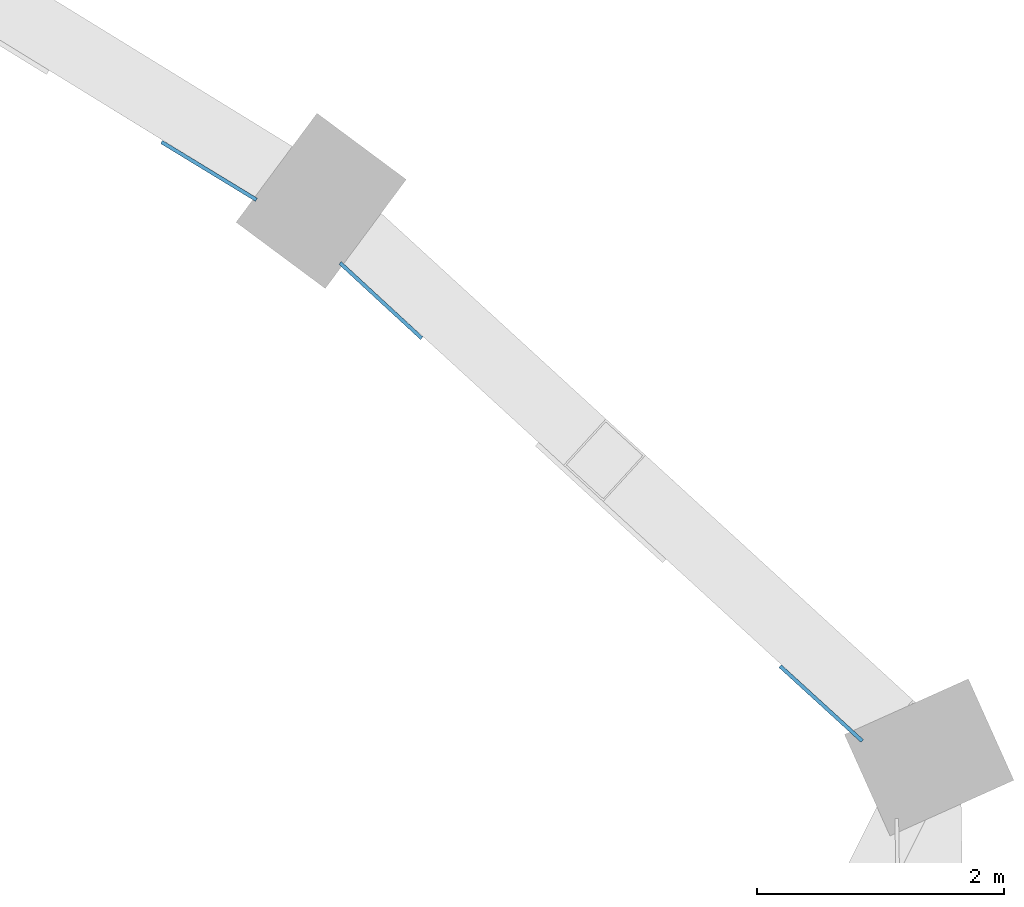
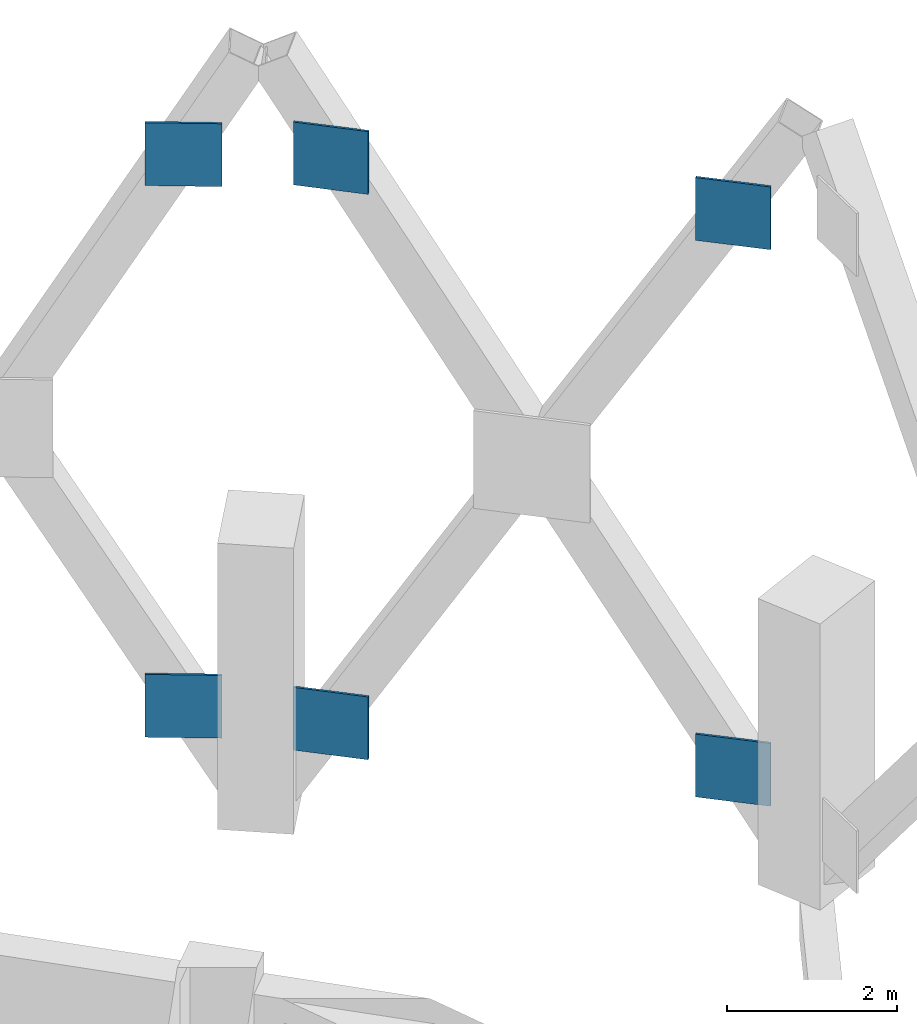
# One storey, part 8 of 15: 6 discrete accessories.
"""IFC4 building model written with IfcOpenShell, lengths in metres."""

import ifcopenshell
import ifcopenshell.guid

model = None  # the IFC model being written
_history = None  # IfcOwnerHistory: only IFC2X3 demands one
_inside = {}  # id of a spatial element -> (the spatial element, [elements in it])
_under = {}  # id of a project, library or spatial element -> (it, [spatial elements below it])
_declared = {}  # id of a project -> (the project, [libraries it declares])
_typed = {}  # id of a type object -> (the type object, [elements of that type])
_made_of = {}  # id of a material, layer set ... -> (it, [elements and type objects made of it])


def new_model(schema):
    """Start an empty IFC model of exactly this schema.

    Asked for "IFC4X3", IfcOpenShell would pick the latest addendum, in which some entities
    have other attributes; the version numbers below select the first issue.
    IFC2X3 requires an IfcOwnerHistory on every rooted entity: one is made here for all.
    """
    global model, _history
    if schema == "IFC4X3":
        model = ifcopenshell.file(schema_version=(4, 3, 0, 0))
    else:
        model = ifcopenshell.file(schema=schema)
    _inside.clear()
    _under.clear()
    _declared.clear()
    _typed.clear()
    _made_of.clear()
    _history = None
    if model.schema == "IFC2X3":
        org = make("IfcOrganization", Name="unknown")
        user = make(
            "IfcPersonAndOrganization",
            ThePerson=make("IfcPerson", FamilyName="unknown"),
            TheOrganization=org,
        )
        app = make(
            "IfcApplication",
            ApplicationDeveloper=org,
            Version="unknown",
            ApplicationFullName="unknown",
            ApplicationIdentifier="unknown",
        )
        _history = make(
            "IfcOwnerHistory",
            OwningUser=user,
            OwningApplication=app,
            ChangeAction="ADDED",
            CreationDate=0,
        )
    return model


def make(cls, **values):
    """One entity of the class cls with the attributes given. An attribute that is None is left unset."""
    return model.create_entity(
        cls, **{name: value for name, value in values.items() if value is not None}
    )


def rooted(cls, **values):
    """An entity with a GlobalId (a new one), such as an element, a storey or a relation."""
    return make(cls, GlobalId=ifcopenshell.guid.new(), OwnerHistory=_history, **values)


def si_unit(unit_type, name, prefix=None):
    """IfcSIUnit, for example si_unit("LENGTHUNIT", "METRE", prefix="MILLI")."""
    return make("IfcSIUnit", UnitType=unit_type, Prefix=prefix, Name=name)


def assignment(units):
    """IfcUnitAssignment: the units of a project."""
    return None if units is None else make("IfcUnitAssignment", Units=units)


def point(xyz):
    """IfcCartesianPoint."""
    return None if xyz is None else make("IfcCartesianPoint", Coordinates=xyz)


def direction(xyz):
    """IfcDirection."""
    return None if xyz is None else make("IfcDirection", DirectionRatios=xyz)


def frame(location, z_axis=None, x_axis=None):
    """IfcAxis2Placement3D, a coordinate frame: its origin and axes. An axis left out is left unset."""
    return make(
        "IfcAxis2Placement3D",
        Location=point(location),
        Axis=direction(z_axis),
        RefDirection=direction(x_axis),
    )


def frame_2d(location, x_axis=None):
    """IfcAxis2Placement2D, a coordinate frame in the plane: its origin and x axis."""
    return make(
        "IfcAxis2Placement2D", Location=point(location), RefDirection=direction(x_axis)
    )


def origin():
    """The frame at (0, 0, 0) with its axes left unset."""
    return frame((0.0, 0.0, 0.0))


def origin_2d():
    """The frame at (0, 0) in the plane with its x axis left unset."""
    return frame_2d((0.0, 0.0))


def place(relative_to, where):
    """IfcLocalPlacement: puts the frame where relative to a parent placement (None: the world)."""
    return make(
        "IfcLocalPlacement", PlacementRelTo=relative_to, RelativePlacement=where
    )


def context(
    kind, dimensions, precision=None, world=None, true_north=None, identifier=None
):
    """IfcGeometricRepresentationContext, for example the 3D "Model" context."""
    return make(
        "IfcGeometricRepresentationContext",
        ContextIdentifier=identifier,
        ContextType=kind,
        CoordinateSpaceDimension=dimensions,
        Precision=precision,
        WorldCoordinateSystem=world,
        TrueNorth=true_north,
    )


def subcontext(parent, identifier, kind, view, scale=None):
    """IfcGeometricRepresentationSubContext, for example "Body" below "Model"."""
    return make(
        "IfcGeometricRepresentationSubContext",
        ContextIdentifier=identifier,
        ContextType=kind,
        ParentContext=parent,
        TargetScale=scale,
        TargetView=view,
    )


def project(units=None, contexts=None):
    """IfcProject with its units and contexts."""
    return rooted(
        "IfcProject",
        Name="project",
        RepresentationContexts=contexts,
        UnitsInContext=assignment(units),
    )


def spatial(cls, under=None, at=None, **own):
    """A site, building, storey or space (cls), placed at a placement, below another one or the project."""
    s = rooted(cls, ObjectPlacement=at, **own)
    if under is not None:
        _under.setdefault(under.id(), (under, []))[1].append(s)
    return s


def profile(cls, at=None, kind="AREA", **sizes):
    """A parametric profile (cls). Its sizes go by their IFC names, for example OverallWidth=200.0."""
    return make(cls, ProfileType=kind, Position=at, **sizes)


def rectangle(**sizes):
    """IfcRectangleProfileDef."""
    return profile("IfcRectangleProfileDef", **sizes)


def extrude(swept, where, along, depth):
    """IfcExtrudedAreaSolid: the profile swept, set in the frame where, extruded along a direction by depth."""
    return make(
        "IfcExtrudedAreaSolid",
        SweptArea=swept,
        Position=where,
        ExtrudedDirection=direction(along),
        Depth=depth,
    )


def shape(context_of_items, identifier, shape_type, items):
    """IfcShapeRepresentation: the items that make up one representation, for example the "Body"."""
    return make(
        "IfcShapeRepresentation",
        ContextOfItems=context_of_items,
        RepresentationIdentifier=identifier,
        RepresentationType=shape_type,
        Items=items,
    )


def material(Name=None, Category=None):
    """IfcMaterial."""
    return make("IfcMaterial", Name=Name, Category=Category)


def material_profile(
    of_material, cross_section, Name=None, Category=None, Priority=None
):
    """IfcMaterialProfile: a cross section and its material."""
    return make(
        "IfcMaterialProfile",
        Name=Name,
        Material=of_material,
        Profile=cross_section,
        Priority=Priority,
        Category=Category,
    )


def profile_set(profiles, Name=None, composite=None):
    """IfcMaterialProfileSet."""
    return make(
        "IfcMaterialProfileSet",
        Name=Name,
        MaterialProfiles=profiles,
        CompositeProfile=composite,
    )


def made_of(thing, what):
    """Note that an element or type object is made of a material, layer set ...; save() writes the relation."""
    if what is not None:
        _made_of.setdefault(what.id(), (what, []))[1].append(thing)
    return thing


def type_object(cls, material=None, **own):
    """A type object (cls), such as IfcWallType, which elements share."""
    return made_of(rooted(cls, **own), material)


def element(
    cls,
    number,
    at=None,
    inside=None,
    cuts=None,
    type_object=None,
    material=None,
    context=None,
    identifier="Body",
    shape_type=None,
    held_by="IfcProductDefinitionShape",
    body=None,
    shapes=None,
    **own,
):
    """One element of the class cls, such as IfcWall. Its Tag is "e" and its number.

    at: its placement. inside: the storey or other place that contains it. cuts: it is an
    opening in that element (IfcRelVoidsElement). A single representation is given by context,
    identifier, shape_type and body (its items); several are given by shapes. held_by: the class
    of the entity that holds the representations. save() writes the other relations.
    """
    e = rooted(cls, Tag="e%d" % number, ObjectPlacement=at, **own)
    if body is not None:
        shapes = [shape(context, identifier, shape_type, body)]
    if shapes is not None:
        e.Representation = make(held_by, Representations=shapes)
    if inside is not None:
        _inside.setdefault(inside.id(), (inside, []))[1].append(e)
    if cuts is not None:
        rooted(
            "IfcRelVoidsElement", RelatingBuildingElement=cuts, RelatedOpeningElement=e
        )
    if type_object is not None:
        _typed.setdefault(type_object.id(), (type_object, []))[1].append(e)
    return made_of(e, material)


def aggregate(whole, parts):
    """IfcRelAggregates: a whole, such as a stair, and the parts it consists of."""
    return rooted("IfcRelAggregates", RelatingObject=whole, RelatedObjects=parts)


def save(model, path):
    """Write the relations noted so far, then the file.

    IfcRelAggregates (storeys below a building ...), IfcRelContainedInSpatialStructure (elements
    in a storey), IfcRelDefinesByType, IfcRelAssociatesMaterial and IfcRelDeclares: one each for
    every whole, place, type object, material and project.
    """
    for whole, parts in _under.values():
        aggregate(whole, parts)
    for where, things in _inside.values():
        rooted(
            "IfcRelContainedInSpatialStructure",
            RelatedElements=things,
            RelatingStructure=where,
        )
    for kind, things in _typed.values():
        rooted("IfcRelDefinesByType", RelatedObjects=things, RelatingType=kind)
    for what, things in _made_of.values():
        rooted("IfcRelAssociatesMaterial", RelatedObjects=things, RelatingMaterial=what)
    for by, libraries in _declared.values():
        rooted("IfcRelDeclares", RelatingContext=by, RelatedDefinitions=libraries)
    model.write(path)


model = new_model("IFC4")

# Units and contexts
model_context = context("Model", 3, precision=1e-05, world=origin(), true_north=direction((0.0, 1.0)))
body_context = subcontext(model_context, "Body", "Model", "MODEL_VIEW")
ifc_project = project(units=[si_unit("LENGTHUNIT", "METRE"), si_unit("AREAUNIT", "SQUARE_METRE"), si_unit("VOLUMEUNIT", "CUBIC_METRE"), si_unit("PLANEANGLEUNIT", "RADIAN"), si_unit("MASSUNIT", "GRAM", prefix="KILO")], contexts=[model_context])

# Site, building, storey
site_placement = place(None, origin())
site = spatial("IfcSite", under=ifc_project, at=site_placement, CompositionType="ELEMENT")
building_placement = place(site_placement, origin())
building = spatial("IfcBuilding", under=site, at=building_placement, Name="Cypress Arch Tower", CompositionType="ELEMENT")
storey_placement = place(building_placement, frame((0.0, 0.0, 205.60009765625)))
storey = spatial("IfcBuildingStorey", under=building, at=storey_placement, Name="L45", CompositionType="ELEMENT", Elevation=205.60009765625)

# Discrete accessories
ifc_material = material(Name="Steel ASTM A992", Category="steel")
ifc_material_profile = material_profile(ifc_material, rectangle(XDim=0.89990234375, YDim=0.89990234375, at=origin_2d()), Name="PL 30 900x900")
ifc_profile_set = profile_set([ifc_material_profile], Name="Steel ASTM A992")
discrete_accessory_type = type_object("IfcDiscreteAccessoryType", Name="Gusset plate 900x900x30 Steel ASTM A992", PredefinedType="ANCHORPLATE", material=ifc_profile_set)
discrete_accessory_1_placement = place(storey_placement, frame((23.198974609375, 14.20654296875, 1.562744140625), z_axis=(-0.673884243496, -0.738836941664, 0.0), x_axis=(0.738836941664, -0.673884243496, 0.0)))
element("IfcDiscreteAccessory", 1, at=discrete_accessory_1_placement, inside=storey, type_object=discrete_accessory_type, Name="Gusset plate L45 CQ15-CQ16u0", PredefinedType="ANCHORPLATE", context=body_context, shape_type="SweptSolid", body=[
    extrude(rectangle(XDim=0.89990234375, YDim=0.89990234375, at=origin_2d()), origin(), (0.0, 0.0, 1.0), 0.030029296875),
])
discrete_accessory_2_placement = place(storey_placement, frame((19.63232421875, 17.470947265625, 9.599853515625), z_axis=(-0.677940786048, -0.735116514991, 0.0), x_axis=(0.735116514991, -0.677940786048, 0.0)))
element("IfcDiscreteAccessory", 2, at=discrete_accessory_2_placement, inside=storey, type_object=discrete_accessory_type, Name="Gusset plate L45 CQ15-CQ16u1", PredefinedType="ANCHORPLATE", context=body_context, shape_type="SweptSolid", body=[
    extrude(rectangle(XDim=0.89990234375, YDim=0.89990234375, at=origin_2d()), origin(), (0.0, 0.0, 1.0), 0.02978515625),
])
discrete_accessory_3_placement = place(storey_placement, frame((23.198974609375, 14.20654296875, 9.537109375), z_axis=(-0.673884243496, -0.738836941664, 0.0), x_axis=(0.738836941664, -0.673884243496, 0.0)))
element("IfcDiscreteAccessory", 3, at=discrete_accessory_3_placement, inside=storey, type_object=discrete_accessory_type, Name="Gusset plate L45 CQ15-CQ16d0", PredefinedType="ANCHORPLATE", context=body_context, shape_type="SweptSolid", body=[
    extrude(rectangle(XDim=0.89990234375, YDim=0.89990234375, at=origin_2d()), origin(), (0.0, 0.0, 1.0), 0.030029296875),
])
discrete_accessory_4_placement = place(storey_placement, frame((19.63232421875, 17.470947265625, 1.5), z_axis=(-0.677940786048, -0.735116514991, 0.0), x_axis=(0.735116514991, -0.677940786048, 0.0)))
element("IfcDiscreteAccessory", 4, at=discrete_accessory_4_placement, inside=storey, type_object=discrete_accessory_type, Name="Gusset plate L45 CQ15-CQ16d1", PredefinedType="ANCHORPLATE", context=body_context, shape_type="SweptSolid", body=[
    extrude(rectangle(XDim=0.89990234375, YDim=0.89990234375, at=origin_2d()), origin(), (0.0, 0.0, 1.0), 0.02978515625),
])
for number, where, z_axis, x_axis, name in (
    (5, (18.237060546875, 18.523681640625, 1.597900390625), (-0.520462828118, -0.853884327381, 0.0), (0.853884327381, -0.520462828118, 0.0), "Gusset plate L45 CQ16-CQ17u0"),
    (6, (18.237060546875, 18.523681640625, 9.501953125), (-0.520462828118, -0.853884327381, 0.0), (0.853884327381, -0.520462828118, 0.0), "Gusset plate L45 CQ16-CQ17d0"),
):
    element("IfcDiscreteAccessory", number, at=place(storey_placement, frame(where, z_axis=z_axis, x_axis=x_axis)), inside=storey, type_object=discrete_accessory_type, Name=name, PredefinedType="ANCHORPLATE", context=body_context, shape_type="SweptSolid", body=[
        extrude(rectangle(XDim=0.89990234375, YDim=0.89990234375, at=origin_2d()), origin(), (0.0, 0.0, 1.0), 0.030029296875),
    ])

save(model, "model.ifc")
